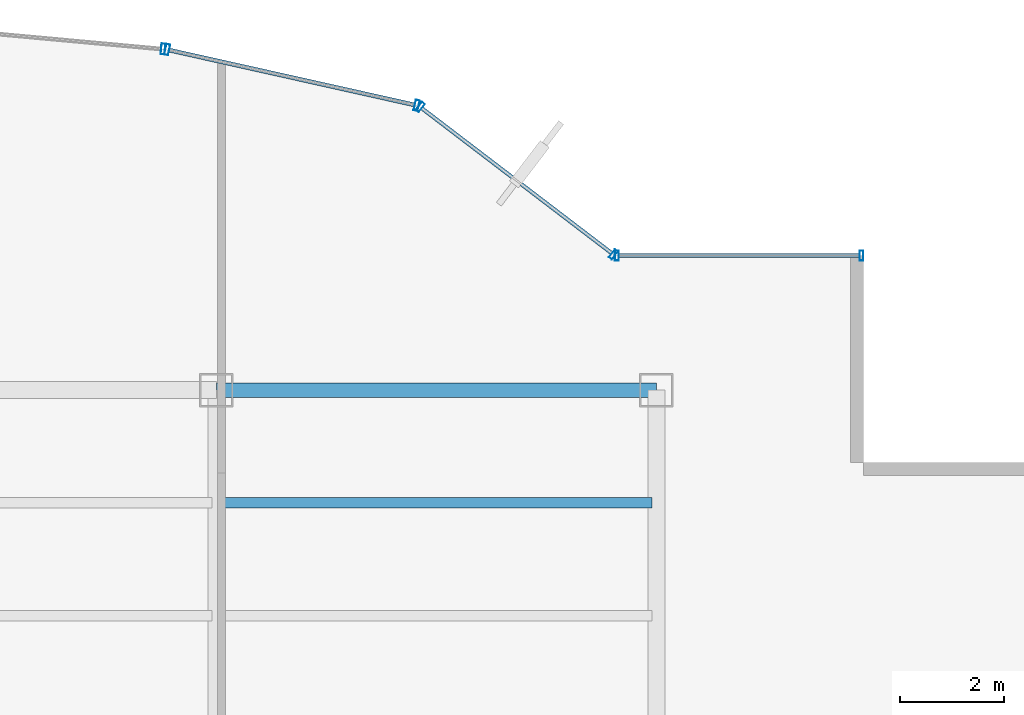
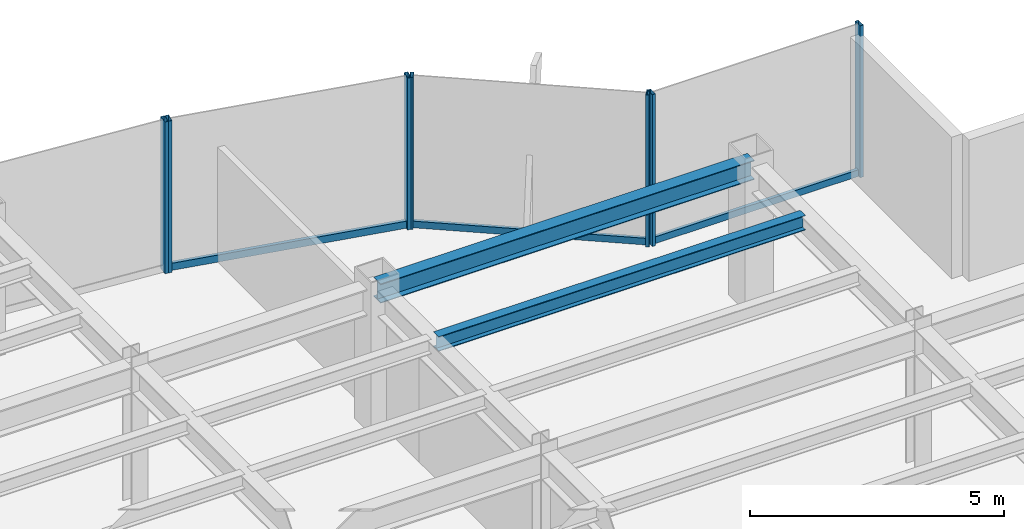
# One storey, part 17 of 25: 10 members, 2 beams, 4 elements without a shape of their own.
"""IFC4 building model written with IfcOpenShell, lengths in metres."""

from ifc_helpers import new_model, si_unit, derived_unit, direction, frame, origin, origin_2d, place, context, subcontext, project, spatial, hollow_rectangle, i_section, extrude, source, transform, mapped, material, material_profile, profile_set, type_object, element, aggregate, save


model = new_model("IFC4")

# Units and contexts
model_context = context("Model", 3, precision=1e-05, world=origin(), true_north=direction((0.0, 1.0)))
body_context = subcontext(model_context, "Body", "Model", "MODEL_VIEW")
ifc_project = project(units=[si_unit("LENGTHUNIT", "METRE"), si_unit("AREAUNIT", "SQUARE_METRE"), si_unit("VOLUMEUNIT", "CUBIC_METRE"), si_unit("PLANEANGLEUNIT", "RADIAN"), si_unit("MASSUNIT", "GRAM", prefix="KILO"), derived_unit("THERMALTRANSMITTANCEUNIT", [(si_unit("POWERUNIT", "WATT"), 1), (si_unit("LENGTHUNIT", "METRE"), -2), (si_unit("THERMODYNAMICTEMPERATUREUNIT", "KELVIN"), -1)])], contexts=[model_context])

# Site, building, storey
site_placement = place(None, origin())
site = spatial("IfcSite", under=ifc_project, at=site_placement, CompositionType="ELEMENT")
building_placement = place(site_placement, origin())
building = spatial("IfcBuilding", under=site, at=building_placement, Name="Skarnbrae Concourse Arena and Tower", CompositionType="ELEMENT")
storey_placement = place(building_placement, frame((0.0, 0.0, 155.199951171875)))
storey = spatial("IfcBuildingStorey", under=building, at=storey_placement, Name="L39", CompositionType="ELEMENT", Elevation=155.199951171875)

# Beams
ifc_material_1 = material(Name="Steel CSA G40.21 350W", Category="steel")
ifc_material_profile_1 = material_profile(ifc_material_1, i_section(OverallWidth=0.280029296875, OverallDepth=0.462890625, WebThickness=0.0107421875, FlangeThickness=0.017333984375, at=origin_2d()), Name="W460X113")
ifc_profile_set_1 = profile_set([ifc_material_profile_1], Name="Steel CSA G40.21 350W")
beam_type_1 = type_object("IfcBeamType", Name="BM-SPAN-W460X113", PredefinedType="SPANDREL", material=ifc_profile_set_1)
shared_shape_1 = source(origin(), body_context, "Body", "SweptSolid", [
    extrude(i_section(OverallWidth=0.280029296875, OverallDepth=0.462890625, WebThickness=0.0107421875, FlangeThickness=0.017333984375, at=origin_2d()), origin(), (0.0, 0.0, 1.0), 8.5),
])
beam_1_placement = place(storey_placement, frame((33.5, 34.39990234375, 3.16845703125), z_axis=(1.0, 0.0, 0.0), x_axis=(0.0, 1.0, 0.0)))
element("IfcBeam", 1, at=beam_1_placement, inside=storey, type_object=beam_type_1, Name="L39 Perimeter spandrel Y34.4-5", PredefinedType="SPANDREL", context=body_context, shape_type="MappedRepresentation", body=[
    mapped(shared_shape_1, transform((0.0, 0.0, 0.0))),
])
ifc_material_profile_2 = material_profile(ifc_material_1, i_section(OverallWidth=0.205078125, OverallDepth=0.35400390625, WebThickness=0.009521484375, FlangeThickness=0.016845703125, at=origin_2d()), Name="W360X79")
ifc_profile_set_2 = profile_set([ifc_material_profile_2], Name="Steel CSA G40.21 350W")
beam_type_2 = type_object("IfcBeamType", Name="BM-JOIST-W360X79", PredefinedType="JOIST", material=ifc_profile_set_2)
shared_shape_2 = source(origin(), body_context, "Body", "SweptSolid", [
    extrude(i_section(OverallWidth=0.205078125, OverallDepth=0.35400390625, WebThickness=0.009521484375, FlangeThickness=0.016845703125, at=origin_2d()), origin(), (0.0, 0.0, 1.0), 8.33984375),
])
beam_2_placement = place(storey_placement, frame((33.580078125, 32.221923828125, 3.22314453125), z_axis=(1.0, 0.0, 0.0), x_axis=(0.0, 1.0, 0.0)))
element("IfcBeam", 2, at=beam_2_placement, inside=storey, type_object=beam_type_2, Name="L39 Secondary floor joist 3.2.5", PredefinedType="JOIST", context=body_context, shape_type="MappedRepresentation", body=[
    mapped(shared_shape_2, transform((0.0, 0.0, 0.0))),
])

# Curtain wall, members
ifc_material_2 = material(Name="Bronze anodised aluminium 6063-T6", Category="aluminium")
curtain_wall_type_1 = type_object("IfcCurtainWallType", Name="CW-SYS-03-PORTAL", PredefinedType="USERDEFINED", material=ifc_material_2)
curtain_wall_1_placement = place(storey_placement, origin())
curtain_wall_1 = element("IfcCurtainWall", 3, at=curtain_wall_1_placement, inside=storey, type_object=curtain_wall_type_1, Name="L39 Unitised curtain wall CW-L39-E09", ObjectType="UNITISED CURTAIN WALL", PredefinedType="USERDEFINED")
ifc_material_profile_3 = material_profile(ifc_material_2, hollow_rectangle(XDim=0.080078125, YDim=0.2099609375, WallThickness=0.00439453125, at=origin_2d()), Name="ALU-MULL-80X210")
ifc_profile_set_3 = profile_set([ifc_material_profile_3], Name="Bronze anodised aluminium 6063-T6")
member_type_1 = type_object("IfcMemberType", Name="CWM-CW-03", PredefinedType="MULLION", material=ifc_profile_set_3)
shared_shape_3 = source(origin(), body_context, "Body", "SweptSolid", [
    extrude(hollow_rectangle(XDim=0.080078125, YDim=0.2099609375, WallThickness=0.00439453125, at=origin_2d()), origin(), (0.0, 0.0, 1.0), 3.650146484375),
])
member_1_placement = place(storey_placement, frame((37.37060546875, 39.9013671875, 0.0), z_axis=(0.0, 0.0, 1.0), x_axis=(-0.975936175393, 0.218056372433, 0.0)))
member_1 = element("IfcMember", 4, at=member_1_placement, type_object=member_type_1, Name="CW-L39-E09 Mullion 1", PredefinedType="MULLION", context=body_context, shape_type="MappedRepresentation", body=[
    mapped(shared_shape_3, transform((0.0, 0.0, 0.0))),
])
member_2_placement = place(storey_placement, frame((32.55126953125, 40.978271484375, 0.0), z_axis=(0.0, 0.0, 1.0), x_axis=(-0.975936175393, 0.218056372433, 0.0)))
member_2 = element("IfcMember", 5, at=member_2_placement, type_object=member_type_1, Name="CW-L39-E09 Mullion 2", PredefinedType="MULLION", context=body_context, shape_type="MappedRepresentation", body=[
    mapped(shared_shape_3, transform((0.0, 0.0, 0.0))),
])

# Curtain wall, member
curtain_wall_2_placement = place(storey_placement, origin())
curtain_wall_2 = element("IfcCurtainWall", 6, at=curtain_wall_2_placement, inside=storey, type_object=curtain_wall_type_1, Name="L39 Unitised curtain wall CW-L39-E10", ObjectType="UNITISED CURTAIN WALL", PredefinedType="USERDEFINED")
member_3_placement = place(storey_placement, frame((32.472412109375, 40.990478515625, 0.0), z_axis=(0.0, 0.0, 1.0), x_axis=(-0.995819926016, 0.091338244731, 0.0)))
member_3 = element("IfcMember", 7, at=member_3_placement, type_object=member_type_1, Name="CW-L39-E10 Mullion 1", PredefinedType="MULLION", context=body_context, shape_type="MappedRepresentation", body=[
    mapped(shared_shape_3, transform((0.0, 0.0, 0.0))),
])
aggregate(curtain_wall_2, [member_3])

# Curtain wall, members
curtain_wall_type_2 = type_object("IfcCurtainWallType", Name="CW-SYS-04-MIDZONE", PredefinedType="USERDEFINED", material=ifc_material_2)
curtain_wall_3_placement = place(storey_placement, origin())
curtain_wall_3 = element("IfcCurtainWall", 8, at=curtain_wall_3_placement, inside=storey, type_object=curtain_wall_type_2, Name="L39 Unitised curtain wall CW-L39-E07", ObjectType="UNITISED CURTAIN WALL", PredefinedType="USERDEFINED")
ifc_material_profile_4 = material_profile(ifc_material_2, hollow_rectangle(XDim=0.074951171875, YDim=0.195068359375, WallThickness=0.00439453125, at=origin_2d()), Name="ALU-MULL-75X195")
ifc_profile_set_4 = profile_set([ifc_material_profile_4], Name="Bronze anodised aluminium 6063-T6")
member_type_2 = type_object("IfcMemberType", Name="CWM-CW-04", PredefinedType="MULLION", material=ifc_profile_set_4)
shared_shape_4 = source(origin(), body_context, "Body", "SweptSolid", [
    extrude(hollow_rectangle(XDim=0.074951171875, YDim=0.195068359375, WallThickness=0.00439453125, at=origin_2d()), origin(), (0.0, 0.0, 1.0), 3.650146484375),
])
member_4_placement = place(storey_placement, frame((45.96240234375, 37.0, 0.0), z_axis=(0.0, 0.0, 1.0), x_axis=(-1.0, 0.0, 0.0)))
member_4 = element("IfcMember", 9, at=member_4_placement, type_object=member_type_2, Name="CW-L39-E07 Mullion 1", PredefinedType="MULLION", context=body_context, shape_type="MappedRepresentation", body=[
    mapped(shared_shape_4, transform((0.0, 0.0, 0.0))),
])
member_5_placement = place(storey_placement, frame((41.237548828125, 37.0, 0.0), z_axis=(0.0, 0.0, 1.0), x_axis=(-1.0, 0.0, 0.0)))
member_5 = element("IfcMember", 10, at=member_5_placement, type_object=member_type_2, Name="CW-L39-E07 Mullion 2", PredefinedType="MULLION", context=body_context, shape_type="MappedRepresentation", body=[
    mapped(shared_shape_4, transform((0.0, 0.0, 0.0))),
])

curtain_wall_4_placement = place(storey_placement, origin())
curtain_wall_4 = element("IfcCurtainWall", 11, at=curtain_wall_4_placement, inside=storey, type_object=curtain_wall_type_2, Name="L39 Unitised curtain wall CW-L39-E08", ObjectType="UNITISED CURTAIN WALL", PredefinedType="USERDEFINED")
member_6_placement = place(storey_placement, frame((41.170166015625, 37.022705078125, 0.0), z_axis=(0.0, 0.0, 1.0), x_axis=(-0.794956000706, 0.606667089054, 0.0)))
member_6 = element("IfcMember", 12, at=member_6_placement, type_object=member_type_2, Name="CW-L39-E08 Mullion 1", PredefinedType="MULLION", context=body_context, shape_type="MappedRepresentation", body=[
    mapped(shared_shape_4, transform((0.0, 0.0, 0.0))),
])
member_7_placement = place(storey_placement, frame((37.439208984375, 39.869873046875, 0.0), z_axis=(0.0, 0.0, 1.0), x_axis=(-0.794956000706, 0.606667089054, 0.0)))
member_7 = element("IfcMember", 13, at=member_7_placement, type_object=member_type_2, Name="CW-L39-E08 Mullion 2", PredefinedType="MULLION", context=body_context, shape_type="MappedRepresentation", body=[
    mapped(shared_shape_4, transform((0.0, 0.0, 0.0))),
])

# Member
ifc_material_profile_5 = material_profile(ifc_material_2, hollow_rectangle(XDim=0.074951171875, YDim=0.159912109375, WallThickness=0.00439453125, at=origin_2d()), Name="ALU-TRAN-75X160")
ifc_profile_set_5 = profile_set([ifc_material_profile_5], Name="Bronze anodised aluminium 6063-T6")
member_type_3 = type_object("IfcMemberType", Name="CWT-CW-04", PredefinedType="USERDEFINED", material=ifc_profile_set_5)
shared_shape_5 = source(origin(), body_context, "Body", "SweptSolid", [
    extrude(hollow_rectangle(XDim=0.074951171875, YDim=0.159912109375, WallThickness=0.00439453125, at=origin_2d()), origin(), (0.0, 0.0, 1.0), 4.650146484375),
])
member_8_placement = place(storey_placement, frame((45.925048828125, 37.0, 0.080078125), z_axis=(-1.0, 0.0, 0.0), x_axis=(0.0, -1.0, 0.0)))
member_8 = element("IfcMember", 14, at=member_8_placement, type_object=member_type_3, Name="CW-L39-E07 Transom 1", ObjectType="TRANSOM", PredefinedType="USERDEFINED", context=body_context, shape_type="MappedRepresentation", body=[
    mapped(shared_shape_5, transform((0.0, 0.0, 0.0))),
])

aggregate(curtain_wall_3, [member_4, member_5, member_8])

shared_shape_6 = source(origin(), body_context, "Body", "SweptSolid", [
    extrude(hollow_rectangle(XDim=0.074951171875, YDim=0.159912109375, WallThickness=0.00439453125, at=origin_2d()), origin(), (0.0, 0.0, 1.0), 4.618408203125),
])
member_9_placement = place(storey_placement, frame((41.140380859375, 37.04541015625, 0.080078125), z_axis=(-0.794960638756, 0.606661011462, 0.0), x_axis=(-0.606661011462, -0.794960638756, 0.0)))
member_9 = element("IfcMember", 15, at=member_9_placement, type_object=member_type_3, Name="CW-L39-E08 Transom 1", ObjectType="TRANSOM", PredefinedType="USERDEFINED", context=body_context, shape_type="MappedRepresentation", body=[
    mapped(shared_shape_6, transform((0.0, 0.0, 0.0))),
])

aggregate(curtain_wall_4, [member_6, member_7, member_9])

ifc_material_profile_6 = material_profile(ifc_material_2, hollow_rectangle(XDim=0.080078125, YDim=0.169921875, WallThickness=0.00439453125, at=origin_2d()), Name="ALU-TRAN-80X170")
ifc_profile_set_6 = profile_set([ifc_material_profile_6], Name="Bronze anodised aluminium 6063-T6")
member_type_4 = type_object("IfcMemberType", Name="CWT-CW-03", PredefinedType="USERDEFINED", material=ifc_profile_set_6)
shared_shape_7 = source(origin(), body_context, "Body", "SweptSolid", [
    extrude(hollow_rectangle(XDim=0.080078125, YDim=0.169921875, WallThickness=0.00439453125, at=origin_2d()), origin(), (0.0, 0.0, 1.0), 4.85791015625),
])
member_10_placement = place(storey_placement, frame((37.331298828125, 39.91015625, 0.0849609375), z_axis=(-0.975934527506, 0.21806374761, 0.0), x_axis=(-0.21806374761, -0.975934527506, 0.0)))
member_10 = element("IfcMember", 16, at=member_10_placement, type_object=member_type_4, Name="CW-L39-E09 Transom 1", ObjectType="TRANSOM", PredefinedType="USERDEFINED", context=body_context, shape_type="MappedRepresentation", body=[
    mapped(shared_shape_7, transform((0.0, 0.0, 0.0))),
])

aggregate(curtain_wall_1, [member_1, member_2, member_10])

save(model, "model.ifc")
